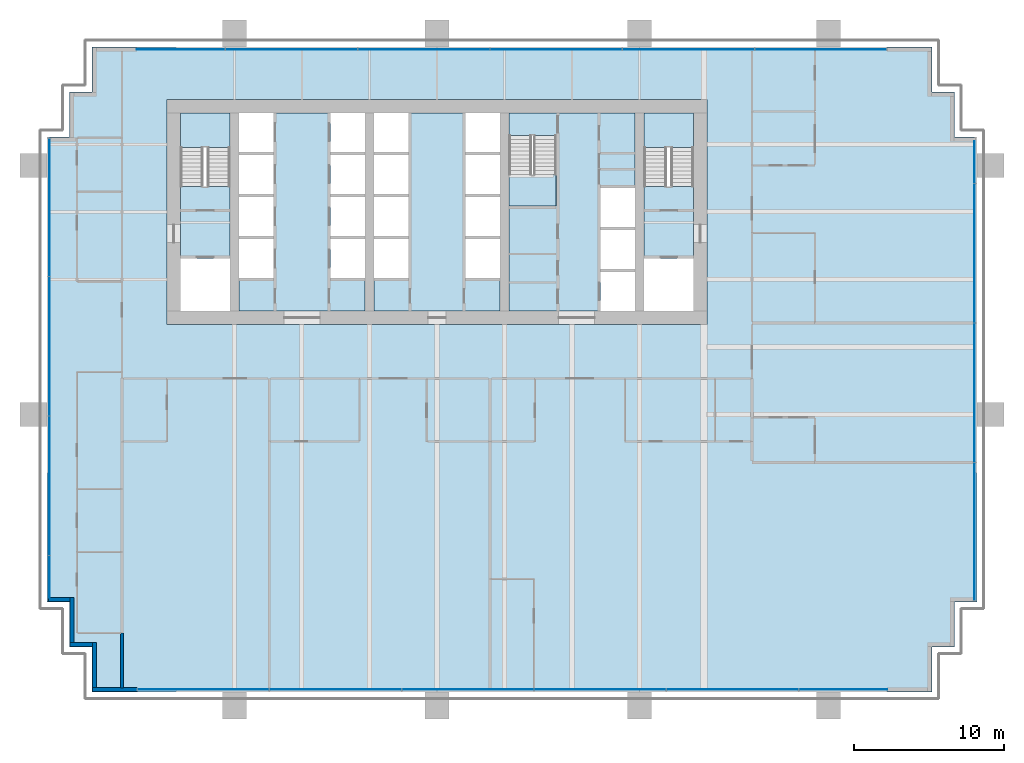
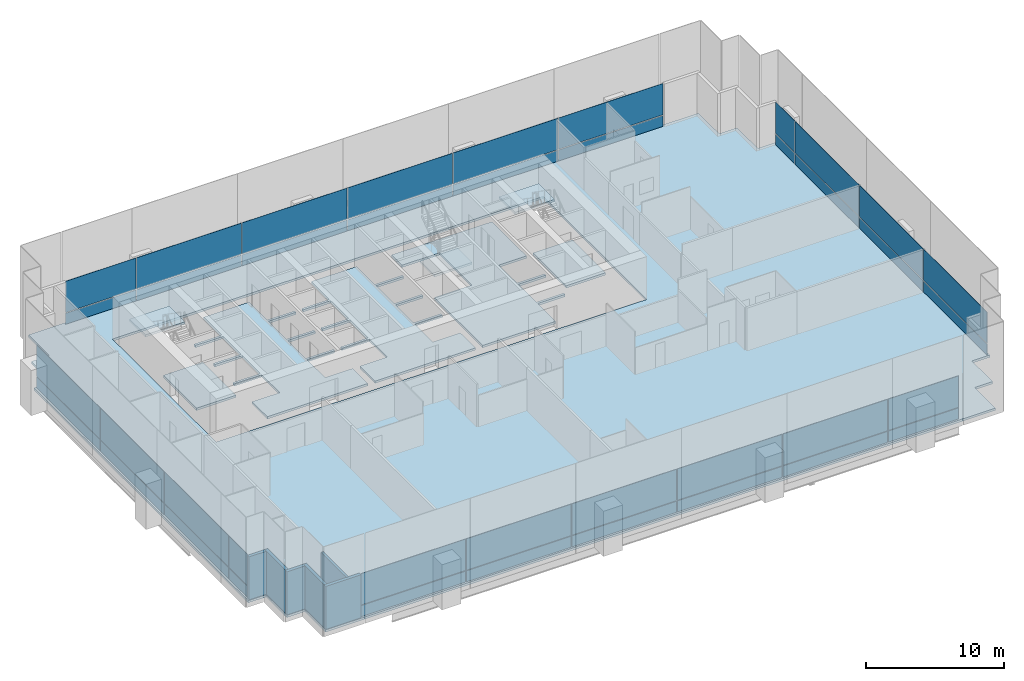
# One storey, part 11 of 19: 40 plates, 9 slabs, 6 walls, 7 elements without a shape of their own.
"""IFC4 building model written with IfcOpenShell, lengths in metres."""

from ifc_helpers import new_model, si_unit, direction, frame, frame_2d, origin, origin_2d, place, context, subcontext, project, spatial, polyline, rectangle, outline, extrude, material, layer, layer_set, type_object, element, aggregate, save


model = new_model("IFC4")

# Units and contexts
model_context = context("Model", 3, precision=1e-05, world=origin(), true_north=direction((0.0, 1.0)))
body_context = subcontext(model_context, "Body", "Model", "MODEL_VIEW")
ifc_project = project(units=[si_unit("LENGTHUNIT", "METRE"), si_unit("AREAUNIT", "SQUARE_METRE"), si_unit("VOLUMEUNIT", "CUBIC_METRE"), si_unit("PLANEANGLEUNIT", "RADIAN"), si_unit("MASSUNIT", "GRAM", prefix="KILO")], contexts=[model_context])

# Site, building, storey
site_placement = place(None, origin())
site = spatial("IfcSite", under=ifc_project, at=site_placement, CompositionType="ELEMENT")
building_placement = place(site_placement, origin())
building = spatial("IfcBuilding", under=site, at=building_placement, Name="Rattan Terrace Tower", CompositionType="ELEMENT")
storey_placement = place(building_placement, frame((0.0, 0.0, 79.699951171875)))
storey = spatial("IfcBuildingStorey", under=building, at=storey_placement, Name="L17", CompositionType="ELEMENT", Elevation=79.699951171875)

# Stair, slab
ifc_material_1 = material(Name="Concrete C40/50", Category="concrete")
stair_type = type_object("IfcStairType", Name="Core exit stair 1500", PredefinedType="HALF_TURN_STAIR", material=ifc_material_1)
stair_1_placement = place(storey_placement, origin())
stair_1 = element("IfcStair", 1, at=stair_1_placement, inside=storey, type_object=stair_type, Name="L17 exit stair 1", PredefinedType="HALF_TURN_STAIR")
ifc_material_2 = material(Name="Concrete C40/50", Category="concrete")
ifc_layer_1 = layer(ifc_material_2, 0.199951171875)
ifc_layer_set_1 = layer_set([ifc_layer_1], Name="Core exit stair landing")
slab_type_1 = type_object("IfcSlabType", Name="Core exit stair landing", PredefinedType="LANDING", material=ifc_layer_set_1)
slab_1_placement = place(storey_placement, frame((0.0, 0.0, 1.800048828125)))
slab_1 = element("IfcSlab", 2, at=slab_1_placement, type_object=slab_type_1, Name="S1 landing 1", PredefinedType="LANDING", context=body_context, shape_type="SweptSolid", body=[
    extrude(outline(polyline([(-13.800048828125, 4.300048828125), (-13.800048828125, 6.60009765625), (-17.10009765625, 6.60009765625), (-17.10009765625, 4.300048828125), (-13.800048828125, 4.300048828125)])), origin(), (0.0, 0.0, 1.0), 0.199951171875),
])
aggregate(stair_1, [slab_1])

stair_2_placement = place(storey_placement, origin())
stair_2 = element("IfcStair", 3, at=stair_2_placement, inside=storey, type_object=stair_type, Name="L17 exit stair 2", PredefinedType="HALF_TURN_STAIR")
slab_2_placement = place(storey_placement, frame((0.0, 0.0, 1.800048828125)))
slab_2 = element("IfcSlab", 4, at=slab_2_placement, type_object=slab_type_1, Name="S2 landing 1", PredefinedType="LANDING", context=body_context, shape_type="SweptSolid", body=[
    extrude(outline(polyline([(17.10009765625, 4.300048828125), (17.10009765625, 6.60009765625), (13.800048828125, 6.60009765625), (13.800048828125, 4.300048828125), (17.10009765625, 4.300048828125)])), origin(), (0.0, 0.0, 1.0), 0.199951171875),
])
aggregate(stair_2, [slab_2])

stair_3_placement = place(storey_placement, origin())
stair_3 = element("IfcStair", 5, at=stair_3_placement, inside=storey, type_object=stair_type, Name="L17 exit stair 3", PredefinedType="HALF_TURN_STAIR")
slab_3_placement = place(storey_placement, frame((0.0, 0.0, 1.800048828125)))
slab_3 = element("IfcSlab", 6, at=slab_3_placement, type_object=slab_type_1, Name="S3 landing 1", PredefinedType="LANDING", context=body_context, shape_type="SweptSolid", body=[
    extrude(outline(polyline([(4.800048828125, 2.5), (4.800048828125, 0.39990234375), (7.949951171875, 0.39990234375), (7.949951171875, 2.5), (4.800048828125, 2.5)])), origin(), (0.0, 0.0, 1.0), 0.199951171875),
])
aggregate(stair_3, [slab_3])

# Curtain wall, plates
ifc_material_3 = material(Name="Aluminium and glass", Category="aluminium")
curtain_wall_type = type_object("IfcCurtainWallType", Name="Facade Unitised Curtain Wall", PredefinedType="NOTDEFINED", material=ifc_material_3)
curtain_wall_1_placement = place(storey_placement, origin())
curtain_wall_1 = element("IfcCurtainWall", 7, at=curtain_wall_1_placement, inside=storey, type_object=curtain_wall_type, Name="Curtain wall L17-1", PredefinedType="NOTDEFINED")
ifc_material_4 = material(Name="Aluminium insulated spandrel panel", Category="aluminium")
ifc_layer_2 = layer(ifc_material_4, 0.028076171875)
ifc_layer_set_2 = layer_set([ifc_layer_2], Name="Facade CW Spandrel Panel")
plate_type_1 = type_object("IfcPlateType", Name="Facade CW Spandrel Panel", PredefinedType="CURTAIN_PANEL", material=ifc_layer_set_2)
plate_1_placement = place(storey_placement, frame((35.830078125, -21.3125, 0.0), z_axis=(0.0, 0.0, 1.0), x_axis=(0.0, 1.0, 0.0)))
plate_1 = element("IfcPlate", 8, at=plate_1_placement, type_object=plate_type_1, Name="Panel cwl-L17-001.1.1", PredefinedType="CURTAIN_PANEL", context=body_context, shape_type="SweptSolid", body=[
    extrude(rectangle(XDim=9.1650390625, YDim=0.028076171875, at=origin_2d()), origin(), (0.0, 0.0, 1.0), 0.969970703125),
])
plate_2_placement = place(storey_placement, frame((35.830078125, -12.050048828125, 0.0), z_axis=(0.0, 0.0, 1.0), x_axis=(0.0, 1.0, 0.0)))
plate_2 = element("IfcPlate", 9, at=plate_2_placement, type_object=plate_type_1, Name="Panel cwl-L17-001.2.1", PredefinedType="CURTAIN_PANEL", context=body_context, shape_type="SweptSolid", body=[
    extrude(rectangle(XDim=9.239990234375, YDim=0.028076171875, at=origin_2d()), origin(), (0.0, 0.0, 1.0), 0.969970703125),
])
plate_3_placement = place(storey_placement, frame((35.830078125, -2.75, 0.0), z_axis=(0.0, 0.0, 1.0), x_axis=(0.0, 1.0, 0.0)))
plate_3 = element("IfcPlate", 10, at=plate_3_placement, type_object=plate_type_1, Name="Panel cwl-L17-001.3.1", PredefinedType="CURTAIN_PANEL", context=body_context, shape_type="SweptSolid", body=[
    extrude(rectangle(XDim=9.239990234375, YDim=0.028076171875, at=origin_2d()), origin(), (0.0, 0.0, 1.0), 0.969970703125),
])
plate_4_placement = place(storey_placement, frame((35.830078125, 3.3173828125, 0.0), z_axis=(0.0, 0.0, 1.0), x_axis=(0.0, 1.0, 0.0)))
plate_4 = element("IfcPlate", 11, at=plate_4_placement, type_object=plate_type_1, Name="Panel cwl-L17-001.4.1", PredefinedType="CURTAIN_PANEL", context=body_context, shape_type="SweptSolid", body=[
    extrude(rectangle(XDim=2.77490234375, YDim=0.028076171875, at=origin_2d()), origin(), (0.0, 0.0, 1.0), 0.969970703125),
])

curtain_wall_2_placement = place(storey_placement, origin())
curtain_wall_2 = element("IfcCurtainWall", 12, at=curtain_wall_2_placement, inside=storey, type_object=curtain_wall_type, Name="Curtain wall L17-2", PredefinedType="NOTDEFINED")
plate_5_placement = place(storey_placement, frame((25.573486328125, 10.830078125, 0.0), z_axis=(0.0, 0.0, 1.0), x_axis=(-1.0, 0.0, 0.0)))
plate_5 = element("IfcPlate", 13, at=plate_5_placement, type_object=plate_type_1, Name="Panel cwl-L17-002.1.1", PredefinedType="CURTAIN_PANEL", context=body_context, shape_type="SweptSolid", body=[
    extrude(rectangle(XDim=8.73291015625, YDim=0.028076171875, at=origin_2d()), origin(), (0.0, 0.0, 1.0), 0.969970703125),
])
plate_6_placement = place(storey_placement, frame((16.765380859375, 10.830078125, 0.0), z_axis=(0.0, 0.0, 1.0), x_axis=(-1.0, 0.0, 0.0)))
plate_6 = element("IfcPlate", 14, at=plate_6_placement, type_object=plate_type_1, Name="Panel cwl-L17-002.2.1", PredefinedType="CURTAIN_PANEL", context=body_context, shape_type="SweptSolid", body=[
    extrude(rectangle(XDim=8.762939453125, YDim=0.028076171875, at=origin_2d()), origin(), (0.0, 0.0, 1.0), 0.969970703125),
])
plate_7_placement = place(storey_placement, frame((7.9423828125, 10.830078125, 0.0), z_axis=(0.0, 0.0, 1.0), x_axis=(-1.0, 0.0, 0.0)))
plate_7 = element("IfcPlate", 15, at=plate_7_placement, type_object=plate_type_1, Name="Panel cwl-L17-002.3.1", PredefinedType="CURTAIN_PANEL", context=body_context, shape_type="SweptSolid", body=[
    extrude(rectangle(XDim=8.762939453125, YDim=0.028076171875, at=origin_2d()), origin(), (0.0, 0.0, 1.0), 0.969970703125),
])
plate_8_placement = place(storey_placement, frame((-0.880615234375, 10.830078125, 0.0), z_axis=(0.0, 0.0, 1.0), x_axis=(-1.0, 0.0, 0.0)))
plate_8 = element("IfcPlate", 16, at=plate_8_placement, type_object=plate_type_1, Name="Panel cwl-L17-002.4.1", PredefinedType="CURTAIN_PANEL", context=body_context, shape_type="SweptSolid", body=[
    extrude(rectangle(XDim=8.762939453125, YDim=0.028076171875, at=origin_2d()), origin(), (0.0, 0.0, 1.0), 0.969970703125),
])
plate_9_placement = place(storey_placement, frame((-9.70361328125, 10.830078125, 0.0), z_axis=(0.0, 0.0, 1.0), x_axis=(-1.0, 0.0, 0.0)))
plate_9 = element("IfcPlate", 17, at=plate_9_placement, type_object=plate_type_1, Name="Panel cwl-L17-002.5.1", PredefinedType="CURTAIN_PANEL", context=body_context, shape_type="SweptSolid", body=[
    extrude(rectangle(XDim=8.762939453125, YDim=0.028076171875, at=origin_2d()), origin(), (0.0, 0.0, 1.0), 0.969970703125),
])
plate_10_placement = place(storey_placement, frame((-17.072509765625, 10.830078125, 0.0), z_axis=(0.0, 0.0, 1.0), x_axis=(-1.0, 0.0, 0.0)))
plate_10 = element("IfcPlate", 18, at=plate_10_placement, type_object=plate_type_1, Name="Panel cwl-L17-002.6.1", PredefinedType="CURTAIN_PANEL", context=body_context, shape_type="SweptSolid", body=[
    extrude(rectangle(XDim=5.85498046875, YDim=0.028076171875, at=origin_2d()), origin(), (0.0, 0.0, 1.0), 0.969970703125),
])

curtain_wall_3_placement = place(storey_placement, origin())
curtain_wall_3 = element("IfcCurtainWall", 19, at=curtain_wall_3_placement, inside=storey, type_object=curtain_wall_type, Name="Curtain wall L17-3", PredefinedType="NOTDEFINED")
plate_11_placement = place(storey_placement, frame((-25.830078125, 0.3125, 0.0), z_axis=(0.0, 0.0, 1.0), x_axis=(0.0, -1.0, 0.0)))
plate_11 = element("IfcPlate", 20, at=plate_11_placement, type_object=plate_type_1, Name="Panel cwl-L17-003.1.1", PredefinedType="CURTAIN_PANEL", context=body_context, shape_type="SweptSolid", body=[
    extrude(rectangle(XDim=9.1650390625, YDim=0.028076171875, at=origin_2d()), origin(), (0.0, 0.0, 1.0), 0.969970703125),
])
plate_12_placement = place(storey_placement, frame((-25.830078125, -8.949951171875, 0.0), z_axis=(0.0, 0.0, 1.0), x_axis=(0.0, -1.0, 0.0)))
plate_12 = element("IfcPlate", 21, at=plate_12_placement, type_object=plate_type_1, Name="Panel cwl-L17-003.2.1", PredefinedType="CURTAIN_PANEL", context=body_context, shape_type="SweptSolid", body=[
    extrude(rectangle(XDim=9.239990234375, YDim=0.028076171875, at=origin_2d()), origin(), (0.0, 0.0, 1.0), 0.969970703125),
])
plate_13_placement = place(storey_placement, frame((-25.830078125, -18.25, 0.0), z_axis=(0.0, 0.0, 1.0), x_axis=(0.0, -1.0, 0.0)))
plate_13 = element("IfcPlate", 22, at=plate_13_placement, type_object=plate_type_1, Name="Panel cwl-L17-003.3.1", PredefinedType="CURTAIN_PANEL", context=body_context, shape_type="SweptSolid", body=[
    extrude(rectangle(XDim=9.239990234375, YDim=0.028076171875, at=origin_2d()), origin(), (0.0, 0.0, 1.0), 0.969970703125),
])
plate_14_placement = place(storey_placement, frame((-25.830078125, -24.3173828125, 0.0), z_axis=(0.0, 0.0, 1.0), x_axis=(0.0, -1.0, 0.0)))
plate_14 = element("IfcPlate", 23, at=plate_14_placement, type_object=plate_type_1, Name="Panel cwl-L17-003.4.1", PredefinedType="CURTAIN_PANEL", context=body_context, shape_type="SweptSolid", body=[
    extrude(rectangle(XDim=2.77490234375, YDim=0.028076171875, at=origin_2d()), origin(), (0.0, 0.0, 1.0), 0.969970703125),
])

curtain_wall_4_placement = place(storey_placement, origin())
curtain_wall_4 = element("IfcCurtainWall", 24, at=curtain_wall_4_placement, inside=storey, type_object=curtain_wall_type, Name="Curtain wall L17-4", PredefinedType="NOTDEFINED")
plate_15_placement = place(storey_placement, frame((-15.573486328125, -31.830078125, 0.0), z_axis=(0.0, 0.0, 1.0), x_axis=(1.0, 0.0, 0.0)))
plate_15 = element("IfcPlate", 25, at=plate_15_placement, type_object=plate_type_1, Name="Panel cwl-L17-004.1.1", PredefinedType="CURTAIN_PANEL", context=body_context, shape_type="SweptSolid", body=[
    extrude(rectangle(XDim=8.73291015625, YDim=0.028076171875, at=origin_2d()), origin(), (0.0, 0.0, 1.0), 0.969970703125),
])
plate_16_placement = place(storey_placement, frame((-6.765380859375, -31.830078125, 0.0), z_axis=(0.0, 0.0, 1.0), x_axis=(1.0, 0.0, 0.0)))
plate_16 = element("IfcPlate", 26, at=plate_16_placement, type_object=plate_type_1, Name="Panel cwl-L17-004.2.1", PredefinedType="CURTAIN_PANEL", context=body_context, shape_type="SweptSolid", body=[
    extrude(rectangle(XDim=8.762939453125, YDim=0.028076171875, at=origin_2d()), origin(), (0.0, 0.0, 1.0), 0.969970703125),
])
plate_17_placement = place(storey_placement, frame((2.0576171875, -31.830078125, 0.0), z_axis=(0.0, 0.0, 1.0), x_axis=(1.0, 0.0, 0.0)))
plate_17 = element("IfcPlate", 27, at=plate_17_placement, type_object=plate_type_1, Name="Panel cwl-L17-004.3.1", PredefinedType="CURTAIN_PANEL", context=body_context, shape_type="SweptSolid", body=[
    extrude(rectangle(XDim=8.762939453125, YDim=0.028076171875, at=origin_2d()), origin(), (0.0, 0.0, 1.0), 0.969970703125),
])
plate_18_placement = place(storey_placement, frame((10.880615234375, -31.830078125, 0.0), z_axis=(0.0, 0.0, 1.0), x_axis=(1.0, 0.0, 0.0)))
plate_18 = element("IfcPlate", 28, at=plate_18_placement, type_object=plate_type_1, Name="Panel cwl-L17-004.4.1", PredefinedType="CURTAIN_PANEL", context=body_context, shape_type="SweptSolid", body=[
    extrude(rectangle(XDim=8.762939453125, YDim=0.028076171875, at=origin_2d()), origin(), (0.0, 0.0, 1.0), 0.969970703125),
])
plate_19_placement = place(storey_placement, frame((19.70361328125, -31.830078125, 0.0), z_axis=(0.0, 0.0, 1.0), x_axis=(1.0, 0.0, 0.0)))
plate_19 = element("IfcPlate", 29, at=plate_19_placement, type_object=plate_type_1, Name="Panel cwl-L17-004.5.1", PredefinedType="CURTAIN_PANEL", context=body_context, shape_type="SweptSolid", body=[
    extrude(rectangle(XDim=8.762939453125, YDim=0.028076171875, at=origin_2d()), origin(), (0.0, 0.0, 1.0), 0.969970703125),
])
plate_20_placement = place(storey_placement, frame((27.072509765625, -31.830078125, 0.0), z_axis=(0.0, 0.0, 1.0), x_axis=(1.0, 0.0, 0.0)))
plate_20 = element("IfcPlate", 30, at=plate_20_placement, type_object=plate_type_1, Name="Panel cwl-L17-004.6.1", PredefinedType="CURTAIN_PANEL", context=body_context, shape_type="SweptSolid", body=[
    extrude(rectangle(XDim=5.85498046875, YDim=0.028076171875, at=origin_2d()), origin(), (0.0, 0.0, 1.0), 0.969970703125),
])

# Plate
ifc_material_5 = material(Name="Clear low-iron glass", Category="glass")
ifc_layer_3 = layer(ifc_material_5, 0.028076171875)
ifc_layer_set_3 = layer_set([ifc_layer_3], Name="Facade CW Vision Panel")
plate_type_2 = type_object("IfcPlateType", Name="Facade CW Vision Panel", PredefinedType="CURTAIN_PANEL", material=ifc_layer_set_3)
plate_21_placement = place(storey_placement, frame((35.830078125, -21.3125, 1.030029296875), z_axis=(0.0, 0.0, 1.0), x_axis=(0.0, 1.0, 0.0)))
plate_21 = element("IfcPlate", 31, at=plate_21_placement, type_object=plate_type_2, Name="Panel cwl-L17-001.1.2", PredefinedType="CURTAIN_PANEL", context=body_context, shape_type="SweptSolid", body=[
    extrude(rectangle(XDim=9.1650390625, YDim=0.028076171875, at=origin_2d()), origin(), (0.0, 0.0, 1.0), 2.77001953125),
])

plate_22_placement = place(storey_placement, frame((35.830078125, -12.050048828125, 1.030029296875), z_axis=(0.0, 0.0, 1.0), x_axis=(0.0, 1.0, 0.0)))
plate_22 = element("IfcPlate", 32, at=plate_22_placement, type_object=plate_type_2, Name="Panel cwl-L17-001.2.2", PredefinedType="CURTAIN_PANEL", context=body_context, shape_type="SweptSolid", body=[
    extrude(rectangle(XDim=9.239990234375, YDim=0.028076171875, at=origin_2d()), origin(), (0.0, 0.0, 1.0), 2.77001953125),
])

plate_23_placement = place(storey_placement, frame((35.830078125, -2.75, 1.030029296875), z_axis=(0.0, 0.0, 1.0), x_axis=(0.0, 1.0, 0.0)))
plate_23 = element("IfcPlate", 33, at=plate_23_placement, type_object=plate_type_2, Name="Panel cwl-L17-001.3.2", PredefinedType="CURTAIN_PANEL", context=body_context, shape_type="SweptSolid", body=[
    extrude(rectangle(XDim=9.239990234375, YDim=0.028076171875, at=origin_2d()), origin(), (0.0, 0.0, 1.0), 2.77001953125),
])

plate_24_placement = place(storey_placement, frame((35.830078125, 3.3173828125, 1.030029296875), z_axis=(0.0, 0.0, 1.0), x_axis=(0.0, 1.0, 0.0)))
plate_24 = element("IfcPlate", 34, at=plate_24_placement, type_object=plate_type_2, Name="Panel cwl-L17-001.4.2", PredefinedType="CURTAIN_PANEL", context=body_context, shape_type="SweptSolid", body=[
    extrude(rectangle(XDim=2.77490234375, YDim=0.028076171875, at=origin_2d()), origin(), (0.0, 0.0, 1.0), 2.77001953125),
])

aggregate(curtain_wall_1, [plate_1, plate_21, plate_2, plate_22, plate_3, plate_23, plate_4, plate_24])

plate_25_placement = place(storey_placement, frame((25.573486328125, 10.830078125, 1.030029296875), z_axis=(0.0, 0.0, 1.0), x_axis=(-1.0, 0.0, 0.0)))
plate_25 = element("IfcPlate", 35, at=plate_25_placement, type_object=plate_type_2, Name="Panel cwl-L17-002.1.2", PredefinedType="CURTAIN_PANEL", context=body_context, shape_type="SweptSolid", body=[
    extrude(rectangle(XDim=8.73291015625, YDim=0.028076171875, at=origin_2d()), origin(), (0.0, 0.0, 1.0), 2.77001953125),
])

plate_26_placement = place(storey_placement, frame((16.765380859375, 10.830078125, 1.030029296875), z_axis=(0.0, 0.0, 1.0), x_axis=(-1.0, 0.0, 0.0)))
plate_26 = element("IfcPlate", 36, at=plate_26_placement, type_object=plate_type_2, Name="Panel cwl-L17-002.2.2", PredefinedType="CURTAIN_PANEL", context=body_context, shape_type="SweptSolid", body=[
    extrude(rectangle(XDim=8.762939453125, YDim=0.028076171875, at=origin_2d()), origin(), (0.0, 0.0, 1.0), 2.77001953125),
])

plate_27_placement = place(storey_placement, frame((7.9423828125, 10.830078125, 1.030029296875), z_axis=(0.0, 0.0, 1.0), x_axis=(-1.0, 0.0, 0.0)))
plate_27 = element("IfcPlate", 37, at=plate_27_placement, type_object=plate_type_2, Name="Panel cwl-L17-002.3.2", PredefinedType="CURTAIN_PANEL", context=body_context, shape_type="SweptSolid", body=[
    extrude(rectangle(XDim=8.762939453125, YDim=0.028076171875, at=origin_2d()), origin(), (0.0, 0.0, 1.0), 2.77001953125),
])

plate_28_placement = place(storey_placement, frame((-0.880615234375, 10.830078125, 1.030029296875), z_axis=(0.0, 0.0, 1.0), x_axis=(-1.0, 0.0, 0.0)))
plate_28 = element("IfcPlate", 38, at=plate_28_placement, type_object=plate_type_2, Name="Panel cwl-L17-002.4.2", PredefinedType="CURTAIN_PANEL", context=body_context, shape_type="SweptSolid", body=[
    extrude(rectangle(XDim=8.762939453125, YDim=0.028076171875, at=origin_2d()), origin(), (0.0, 0.0, 1.0), 2.77001953125),
])

plate_29_placement = place(storey_placement, frame((-9.70361328125, 10.830078125, 1.030029296875), z_axis=(0.0, 0.0, 1.0), x_axis=(-1.0, 0.0, 0.0)))
plate_29 = element("IfcPlate", 39, at=plate_29_placement, type_object=plate_type_2, Name="Panel cwl-L17-002.5.2", PredefinedType="CURTAIN_PANEL", context=body_context, shape_type="SweptSolid", body=[
    extrude(rectangle(XDim=8.762939453125, YDim=0.028076171875, at=origin_2d()), origin(), (0.0, 0.0, 1.0), 2.77001953125),
])

plate_30_placement = place(storey_placement, frame((-17.072509765625, 10.830078125, 1.030029296875), z_axis=(0.0, 0.0, 1.0), x_axis=(-1.0, 0.0, 0.0)))
plate_30 = element("IfcPlate", 40, at=plate_30_placement, type_object=plate_type_2, Name="Panel cwl-L17-002.6.2", PredefinedType="CURTAIN_PANEL", context=body_context, shape_type="SweptSolid", body=[
    extrude(rectangle(XDim=5.85498046875, YDim=0.028076171875, at=origin_2d()), origin(), (0.0, 0.0, 1.0), 2.77001953125),
])

aggregate(curtain_wall_2, [plate_5, plate_25, plate_6, plate_26, plate_7, plate_27, plate_8, plate_28, plate_9, plate_29, plate_10, plate_30])

plate_31_placement = place(storey_placement, frame((-25.830078125, 0.3125, 1.030029296875), z_axis=(0.0, 0.0, 1.0), x_axis=(0.0, -1.0, 0.0)))
plate_31 = element("IfcPlate", 41, at=plate_31_placement, type_object=plate_type_2, Name="Panel cwl-L17-003.1.2", PredefinedType="CURTAIN_PANEL", context=body_context, shape_type="SweptSolid", body=[
    extrude(rectangle(XDim=9.1650390625, YDim=0.028076171875, at=origin_2d()), origin(), (0.0, 0.0, 1.0), 2.77001953125),
])

plate_32_placement = place(storey_placement, frame((-25.830078125, -8.949951171875, 1.030029296875), z_axis=(0.0, 0.0, 1.0), x_axis=(0.0, -1.0, 0.0)))
plate_32 = element("IfcPlate", 42, at=plate_32_placement, type_object=plate_type_2, Name="Panel cwl-L17-003.2.2", PredefinedType="CURTAIN_PANEL", context=body_context, shape_type="SweptSolid", body=[
    extrude(rectangle(XDim=9.239990234375, YDim=0.028076171875, at=origin_2d()), origin(), (0.0, 0.0, 1.0), 2.77001953125),
])

plate_33_placement = place(storey_placement, frame((-25.830078125, -18.25, 1.030029296875), z_axis=(0.0, 0.0, 1.0), x_axis=(0.0, -1.0, 0.0)))
plate_33 = element("IfcPlate", 43, at=plate_33_placement, type_object=plate_type_2, Name="Panel cwl-L17-003.3.2", PredefinedType="CURTAIN_PANEL", context=body_context, shape_type="SweptSolid", body=[
    extrude(rectangle(XDim=9.239990234375, YDim=0.028076171875, at=origin_2d()), origin(), (0.0, 0.0, 1.0), 2.77001953125),
])

plate_34_placement = place(storey_placement, frame((-25.830078125, -24.3173828125, 1.030029296875), z_axis=(0.0, 0.0, 1.0), x_axis=(0.0, -1.0, 0.0)))
plate_34 = element("IfcPlate", 44, at=plate_34_placement, type_object=plate_type_2, Name="Panel cwl-L17-003.4.2", PredefinedType="CURTAIN_PANEL", context=body_context, shape_type="SweptSolid", body=[
    extrude(rectangle(XDim=2.77490234375, YDim=0.028076171875, at=origin_2d()), origin(), (0.0, 0.0, 1.0), 2.77001953125),
])

aggregate(curtain_wall_3, [plate_11, plate_31, plate_12, plate_32, plate_13, plate_33, plate_14, plate_34])

plate_35_placement = place(storey_placement, frame((-15.573486328125, -31.830078125, 1.030029296875), z_axis=(0.0, 0.0, 1.0), x_axis=(1.0, 0.0, 0.0)))
plate_35 = element("IfcPlate", 45, at=plate_35_placement, type_object=plate_type_2, Name="Panel cwl-L17-004.1.2", PredefinedType="CURTAIN_PANEL", context=body_context, shape_type="SweptSolid", body=[
    extrude(rectangle(XDim=8.73291015625, YDim=0.028076171875, at=origin_2d()), origin(), (0.0, 0.0, 1.0), 2.77001953125),
])

plate_36_placement = place(storey_placement, frame((-6.765380859375, -31.830078125, 1.030029296875), z_axis=(0.0, 0.0, 1.0), x_axis=(1.0, 0.0, 0.0)))
plate_36 = element("IfcPlate", 46, at=plate_36_placement, type_object=plate_type_2, Name="Panel cwl-L17-004.2.2", PredefinedType="CURTAIN_PANEL", context=body_context, shape_type="SweptSolid", body=[
    extrude(rectangle(XDim=8.762939453125, YDim=0.028076171875, at=origin_2d()), origin(), (0.0, 0.0, 1.0), 2.77001953125),
])

plate_37_placement = place(storey_placement, frame((2.0576171875, -31.830078125, 1.030029296875), z_axis=(0.0, 0.0, 1.0), x_axis=(1.0, 0.0, 0.0)))
plate_37 = element("IfcPlate", 47, at=plate_37_placement, type_object=plate_type_2, Name="Panel cwl-L17-004.3.2", PredefinedType="CURTAIN_PANEL", context=body_context, shape_type="SweptSolid", body=[
    extrude(rectangle(XDim=8.762939453125, YDim=0.028076171875, at=origin_2d()), origin(), (0.0, 0.0, 1.0), 2.77001953125),
])

plate_38_placement = place(storey_placement, frame((10.880615234375, -31.830078125, 1.030029296875), z_axis=(0.0, 0.0, 1.0), x_axis=(1.0, 0.0, 0.0)))
plate_38 = element("IfcPlate", 48, at=plate_38_placement, type_object=plate_type_2, Name="Panel cwl-L17-004.4.2", PredefinedType="CURTAIN_PANEL", context=body_context, shape_type="SweptSolid", body=[
    extrude(rectangle(XDim=8.762939453125, YDim=0.028076171875, at=origin_2d()), origin(), (0.0, 0.0, 1.0), 2.77001953125),
])

plate_39_placement = place(storey_placement, frame((19.70361328125, -31.830078125, 1.030029296875), z_axis=(0.0, 0.0, 1.0), x_axis=(1.0, 0.0, 0.0)))
plate_39 = element("IfcPlate", 49, at=plate_39_placement, type_object=plate_type_2, Name="Panel cwl-L17-004.5.2", PredefinedType="CURTAIN_PANEL", context=body_context, shape_type="SweptSolid", body=[
    extrude(rectangle(XDim=8.762939453125, YDim=0.028076171875, at=origin_2d()), origin(), (0.0, 0.0, 1.0), 2.77001953125),
])

plate_40_placement = place(storey_placement, frame((27.072509765625, -31.830078125, 1.030029296875), z_axis=(0.0, 0.0, 1.0), x_axis=(1.0, 0.0, 0.0)))
plate_40 = element("IfcPlate", 50, at=plate_40_placement, type_object=plate_type_2, Name="Panel cwl-L17-004.6.2", PredefinedType="CURTAIN_PANEL", context=body_context, shape_type="SweptSolid", body=[
    extrude(rectangle(XDim=5.85498046875, YDim=0.028076171875, at=origin_2d()), origin(), (0.0, 0.0, 1.0), 2.77001953125),
])

aggregate(curtain_wall_4, [plate_15, plate_35, plate_16, plate_36, plate_17, plate_37, plate_18, plate_38, plate_19, plate_39, plate_20, plate_40])

# Slabs
ifc_material_6 = material(Name="Concrete C35/45", Category="concrete")
ifc_layer_4 = layer(ifc_material_6, 0.199951171875)
ifc_layer_set_4 = layer_set([ifc_layer_4], Name="Frame composite floor slab 200")
slab_type_2 = type_object("IfcSlabType", Name="Frame composite floor slab 200", PredefinedType="FLOOR", material=ifc_layer_set_4)
slab_4_placement = place(storey_placement, frame((0.0, 0.0, -0.199951171875)))
element("IfcSlab", 51, at=slab_4_placement, inside=storey, type_object=slab_type_2, Name="Floor slab", PredefinedType="FLOOR", context=body_context, shape_type="SweptSolid", body=[
    extrude(outline(polyline([(-20.0, -32.0), (30.0, -32.0), (33.0, -32.0), (33.0, -29.0), (34.5, -29.0), (34.5, -26.0), (36.0, -26.0), (36.0, 5.0), (34.5, 5.0), (34.5, 8.0), (33.0, 8.0), (33.0, 11.0), (30.0, 11.0), (-20.0, 11.0), (-23.0, 11.0), (-23.0, 8.0), (-24.5, 8.0), (-24.5, 5.0), (-26.0, 5.0), (-26.0, -26.0), (-24.5, -26.0), (-24.5, -29.0), (-23.0, -29.0), (-23.0, -32.0), (-20.0, -32.0)]), holes=[polyline([(-18.0, -6.60009765625), (-18.0, -7.5), (18.0, -7.5), (18.0, -6.60009765625), (18.0, 6.60009765625), (18.0, 7.5), (-18.0, 7.5), (-18.0, 6.60009765625), (-18.0, -6.60009765625)])]), origin(), (0.0, 0.0, 1.0), 0.199951171875),
])
slab_5_placement = place(storey_placement, frame((0.0, 0.0, -0.199951171875)))
element("IfcSlab", 52, at=slab_5_placement, inside=storey, type_object=slab_type_2, Name="Floor slab", PredefinedType="FLOOR", context=body_context, shape_type="SweptSolid", body=[
    extrude(outline(polyline([(-10.89990234375, 6.60009765625), (-10.89990234375, 4.0), (-13.199951171875, 4.0), (-13.199951171875, 3.800048828125), (-10.89990234375, 3.800048828125), (-10.89990234375, 1.199951171875), (-13.199951171875, 1.199951171875), (-13.199951171875, 1.0), (-10.89990234375, 1.0), (-10.89990234375, -1.60009765625), (-13.199951171875, -1.60009765625), (-13.199951171875, -1.800048828125), (-10.89990234375, -1.800048828125), (-10.89990234375, -4.39990234375), (-13.199951171875, -4.39990234375), (-13.199951171875, -6.60009765625), (-4.800048828125, -6.60009765625), (-4.800048828125, -4.39990234375), (-7.10009765625, -4.39990234375), (-7.10009765625, -1.800048828125), (-4.800048828125, -1.800048828125), (-4.800048828125, -1.60009765625), (-7.10009765625, -1.60009765625), (-7.10009765625, 1.0), (-4.800048828125, 1.0), (-4.800048828125, 1.199951171875), (-7.10009765625, 1.199951171875), (-7.10009765625, 3.800048828125), (-4.800048828125, 3.800048828125), (-4.800048828125, 4.0), (-7.10009765625, 4.0), (-7.10009765625, 6.60009765625), (-10.89990234375, 6.60009765625)])), origin(), (0.0, 0.0, 1.0), 0.199951171875),
])
slab_6_placement = place(storey_placement, frame((0.0, 0.0, -0.199951171875)))
element("IfcSlab", 53, at=slab_6_placement, inside=storey, type_object=slab_type_2, Name="Floor slab", PredefinedType="FLOOR", context=body_context, shape_type="SweptSolid", body=[
    extrude(outline(polyline([(-17.10009765625, -3.10009765625), (-13.800048828125, -3.10009765625), (-13.800048828125, 1.7099609375), (-17.10009765625, 1.7099609375), (-17.10009765625, -3.10009765625)])), origin(), (0.0, 0.0, 1.0), 0.199951171875),
])
slab_7_placement = place(storey_placement, frame((0.0, 0.0, -0.199951171875)))
element("IfcSlab", 54, at=slab_7_placement, inside=storey, type_object=slab_type_2, Name="Floor slab", PredefinedType="FLOOR", context=body_context, shape_type="SweptSolid", body=[
    extrude(outline(polyline([(-4.199951171875, 4.0), (-4.199951171875, 3.800048828125), (-1.89990234375, 3.800048828125), (-1.89990234375, 1.199951171875), (-4.199951171875, 1.199951171875), (-4.199951171875, 1.0), (-1.89990234375, 1.0), (-1.89990234375, -1.60009765625), (-4.199951171875, -1.60009765625), (-4.199951171875, -1.800048828125), (-1.89990234375, -1.800048828125), (-1.89990234375, -4.39990234375), (-4.199951171875, -4.39990234375), (-4.199951171875, -6.60009765625), (4.199951171875, -6.60009765625), (4.199951171875, -4.39990234375), (1.89990234375, -4.39990234375), (1.89990234375, -1.800048828125), (4.199951171875, -1.800048828125), (4.199951171875, -1.60009765625), (1.89990234375, -1.60009765625), (1.89990234375, 1.0), (4.199951171875, 1.0), (4.199951171875, 1.199951171875), (1.89990234375, 1.199951171875), (1.89990234375, 3.800048828125), (4.199951171875, 3.800048828125), (4.199951171875, 4.0), (1.89990234375, 4.0), (1.89990234375, 6.60009765625), (-1.89990234375, 6.60009765625), (-1.89990234375, 4.0), (-4.199951171875, 4.0)])), origin(), (0.0, 0.0, 1.0), 0.199951171875),
])
slab_8_placement = place(storey_placement, frame((0.0, 0.0, -0.199951171875)))
element("IfcSlab", 55, at=slab_8_placement, inside=storey, type_object=slab_type_2, Name="Floor slab", PredefinedType="FLOOR", context=body_context, shape_type="SweptSolid", body=[
    extrude(outline(polyline([(4.800048828125, 5.090087890625), (7.949951171875, 5.090087890625), (7.949951171875, 0.39990234375), (4.800048828125, 0.39990234375), (4.800048828125, -6.60009765625), (10.89990234375, -6.60009765625), (10.89990234375, -4.0), (13.199951171875, -4.0), (13.199951171875, -3.800048828125), (10.89990234375, -3.800048828125), (10.89990234375, -1.199951171875), (13.199951171875, -1.199951171875), (13.199951171875, -1.0), (10.89990234375, -1.0), (10.89990234375, 1.60009765625), (13.199951171875, 1.60009765625), (13.199951171875, 6.60009765625), (4.800048828125, 6.60009765625), (4.800048828125, 5.090087890625)])), origin(), (0.0, 0.0, 1.0), 0.199951171875),
])
slab_9_placement = place(storey_placement, frame((0.0, 0.0, -0.199951171875)))
element("IfcSlab", 56, at=slab_9_placement, inside=storey, type_object=slab_type_2, Name="Floor slab", PredefinedType="FLOOR", context=body_context, shape_type="SweptSolid", body=[
    extrude(outline(polyline([(13.800048828125, -3.10009765625), (17.10009765625, -3.10009765625), (17.10009765625, 1.7099609375), (13.800048828125, 1.7099609375), (13.800048828125, -3.10009765625)])), origin(), (0.0, 0.0, 1.0), 0.199951171875),
])

# Walls
ifc_material_7 = material(Name="Insulated aluminium-clad stud wall", Category="aluminium")
ifc_layer_5 = layer(ifc_material_7, 0.25)
ifc_layer_set_5 = layer_set([ifc_layer_5], Name="Facade Riser Wall 250")
wall_type_1 = type_object("IfcWallType", Name="Facade Riser Wall 250", PredefinedType="SOLIDWALL", material=ifc_layer_set_5)
wall_1_placement = place(storey_placement, frame((-25.909912109375, -25.830078125, 0.0), z_axis=(0.0, 0.0, 1.0), x_axis=(1.0, 0.0, 0.0)))
element("IfcWall", 57, at=wall_1_placement, inside=storey, type_object=wall_type_1, Name="Riser wall L17-16", PredefinedType="SOLIDWALL", context=body_context, shape_type="SweptSolid", body=[
    extrude(rectangle(XDim=1.454833984375, YDim=0.25, at=frame_2d((0.7275390625, 0.0))), origin(), (0.0, 0.0, 1.0), 3.800048828125),
])
wall_2_placement = place(storey_placement, frame((-24.330078125, -25.705078125, 0.0), z_axis=(0.0, 0.0, 1.0), x_axis=(0.0, -1.0, 0.0)))
element("IfcWall", 58, at=wall_2_placement, inside=storey, type_object=wall_type_1, Name="Riser wall L17-17", PredefinedType="SOLIDWALL", context=body_context, shape_type="SweptSolid", body=[
    extrude(rectangle(XDim=3.0, YDim=0.25, at=frame_2d((1.5, 0.0))), origin(), (0.0, 0.0, 1.0), 3.800048828125),
])
wall_3_placement = place(storey_placement, frame((-24.455078125, -28.830078125, 0.0), z_axis=(0.0, 0.0, 1.0), x_axis=(1.0, 0.0, 0.0)))
element("IfcWall", 59, at=wall_3_placement, inside=storey, type_object=wall_type_1, Name="Riser wall L17-18", PredefinedType="SOLIDWALL", context=body_context, shape_type="SweptSolid", body=[
    extrude(rectangle(XDim=1.5, YDim=0.25, at=frame_2d((0.75, 0.0))), origin(), (0.0, 0.0, 1.0), 3.800048828125),
])
wall_4_placement = place(storey_placement, frame((-22.830078125, -28.705078125, 0.0), z_axis=(0.0, 0.0, 1.0), x_axis=(0.0, -1.0, 0.0)))
element("IfcWall", 60, at=wall_4_placement, inside=storey, type_object=wall_type_1, Name="Riser wall L17-19", PredefinedType="SOLIDWALL", context=body_context, shape_type="SweptSolid", body=[
    extrude(rectangle(XDim=3.0, YDim=0.25, at=frame_2d((1.5, 0.0))), origin(), (0.0, 0.0, 1.0), 3.800048828125),
])
wall_5_placement = place(storey_placement, frame((-22.955078125, -31.830078125, 0.0), z_axis=(0.0, 0.0, 1.0), x_axis=(1.0, 0.0, 0.0)))
element("IfcWall", 61, at=wall_5_placement, inside=storey, type_object=wall_type_1, Name="Riser wall L17-20", PredefinedType="SOLIDWALL", context=body_context, shape_type="SweptSolid", body=[
    extrude(rectangle(XDim=2.955078125, YDim=0.25, at=frame_2d((1.4775390625, 0.0))), origin(), (0.0, 0.0, 1.0), 3.800048828125),
])
ifc_material_8 = material(Name="Double steel stud acoustic partition, gypsum board, mineral wool, fire rated", Category="steel")
ifc_layer_6 = layer(ifc_material_8, 0.179931640625)
ifc_layer_set_6 = layer_set([ifc_layer_6], Name="Floors Acoustic Party Wall 180")
wall_type_2 = type_object("IfcWallType", Name="Floors Acoustic Party Wall 180", PredefinedType="PARTITIONING", material=ifc_layer_set_6)
wall_6_placement = place(storey_placement, frame((-21.0, -28.06005859375, 0.0), z_axis=(0.0, 0.0, 1.0), x_axis=(0.0, -1.0, 0.0)))
element("IfcWall", 62, at=wall_6_placement, inside=storey, type_object=wall_type_2, Name="pt-L17-029", PredefinedType="PARTITIONING", context=body_context, shape_type="SweptSolid", body=[
    extrude(rectangle(XDim=3.679931640625, YDim=0.179931640625, at=frame_2d((1.83984375, 0.0))), origin(), (0.0, 0.0, 1.0), 3.800048828125),
])

save(model, "model.ifc")
